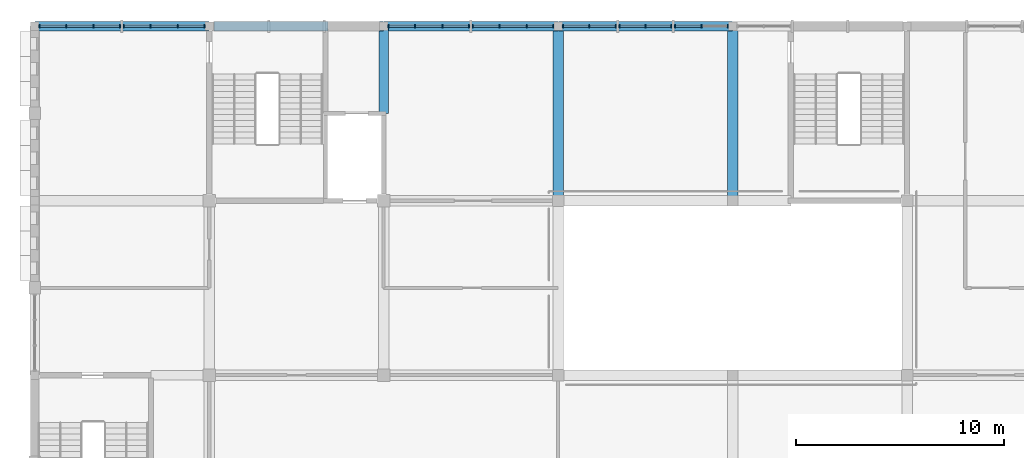
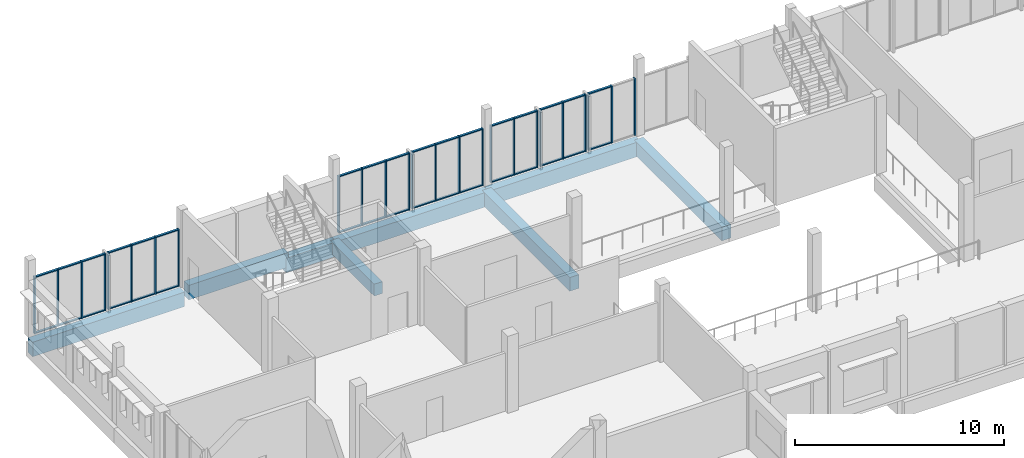
# One storey, part 76 of 116: 59 members, 8 beams, 7 elements without a shape of their own.
"""IFC4 building model written with IfcOpenShell, lengths in metres."""

from ifc_helpers import new_model, si_unit, direction, frame, origin, origin_2d, place, context, subcontext, project, spatial, rectangle, extrude, material, material_profile, profile_set, type_object, element, aggregate, save


model = new_model("IFC4")

# Units and contexts
model_context = context("Model", 3, precision=1e-05, world=origin(), true_north=direction((0.0, 1.0)))
body_context = subcontext(model_context, "Body", "Model", "MODEL_VIEW")
ifc_project = project(units=[si_unit("LENGTHUNIT", "METRE"), si_unit("AREAUNIT", "SQUARE_METRE"), si_unit("VOLUMEUNIT", "CUBIC_METRE"), si_unit("PLANEANGLEUNIT", "RADIAN"), si_unit("MASSUNIT", "GRAM", prefix="KILO")], contexts=[model_context])

# Site, building, storey
site_placement = place(None, origin())
site = spatial("IfcSite", under=ifc_project, at=site_placement, CompositionType="ELEMENT")
building_placement = place(site_placement, origin())
building = spatial("IfcBuilding", under=site, at=building_placement, Name="Fescue Hill Polytechnic", CompositionType="ELEMENT")
storey_placement = place(building_placement, frame((0.0, 0.0, 13.5)))
storey = spatial("IfcBuildingStorey", under=building, at=storey_placement, Name="L03", CompositionType="ELEMENT", Elevation=13.5)

# Beams
ifc_material_1 = material(Name="Concrete 35 MPa", Category="concrete")
ifc_material_profile_1 = material_profile(ifc_material_1, rectangle(XDim=0.449951171875, YDim=0.699951171875, at=origin_2d()), Name="RC 450x700")
ifc_profile_set_1 = profile_set([ifc_material_profile_1], Name="Concrete 35 MPa")
beam_type_1 = type_object("IfcBeamType", Name="Beam RC 450x700", PredefinedType="BEAM", material=ifc_profile_set_1)
beam_1_placement = place(storey_placement, frame((16.800048828125, 130.199951171875, -0.64990234375), z_axis=(0.0, 1.0, 0.0), x_axis=(-1.0, 0.0, 0.0)))
element("IfcBeam", 1, at=beam_1_placement, inside=storey, type_object=beam_type_1, Name="BM-L03-0042", PredefinedType="BEAM", context=body_context, shape_type="SweptSolid", body=[
    extrude(rectangle(XDim=0.449951171875, YDim=0.699951171875, at=origin_2d()), origin(), (0.0, 0.0, 1.0), 4.199951171875),
])
ifc_material_profile_2 = material_profile(ifc_material_1, rectangle(XDim=0.449951171875, YDim=0.85009765625, at=origin_2d()), Name="RC 450x850")
ifc_profile_set_2 = profile_set([ifc_material_profile_2], Name="Concrete 35 MPa")
beam_type_2 = type_object("IfcBeamType", Name="Beam RC 450x850", PredefinedType="BEAM", material=ifc_profile_set_2)
beam_2_placement = place(storey_placement, frame((0.010009765625, 134.39990234375, -0.72509765625), z_axis=(1.0, 0.0, 0.0), x_axis=(0.0, 1.0, 0.0)))
element("IfcBeam", 2, at=beam_2_placement, inside=storey, type_object=beam_type_2, Name="BM-L03-0013", PredefinedType="BEAM", context=body_context, shape_type="SweptSolid", body=[
    extrude(rectangle(XDim=0.449951171875, YDim=0.85009765625, at=origin_2d()), origin(), (0.0, 0.0, 1.0), 8.389892578125),
])
beam_3_placement = place(storey_placement, frame((14.0, 134.39990234375, -0.72509765625), z_axis=(1.0, 0.0, 0.0), x_axis=(0.0, 1.0, 0.0)))
element("IfcBeam", 3, at=beam_3_placement, inside=storey, type_object=beam_type_2, Name="BM-L03-0031", PredefinedType="BEAM", context=body_context, shape_type="SweptSolid", body=[
    extrude(rectangle(XDim=0.449951171875, YDim=0.85009765625, at=origin_2d()), origin(), (0.0, 0.0, 1.0), 2.7900390625),
])
beam_4_placement = place(storey_placement, frame((16.81005859375, 134.39990234375, -0.72509765625), z_axis=(1.0, 0.0, 0.0), x_axis=(0.0, 1.0, 0.0)))
element("IfcBeam", 4, at=beam_4_placement, inside=storey, type_object=beam_type_2, Name="BM-L03-0050", PredefinedType="BEAM", context=body_context, shape_type="SweptSolid", body=[
    extrude(rectangle(XDim=0.449951171875, YDim=0.85009765625, at=origin_2d()), origin(), (0.0, 0.0, 1.0), 8.3798828125),
])
beam_5_placement = place(storey_placement, frame((25.2099609375, 134.39990234375, -0.72509765625), z_axis=(1.0, 0.0, 0.0), x_axis=(0.0, 1.0, 0.0)))
element("IfcBeam", 5, at=beam_5_placement, inside=storey, type_object=beam_type_2, Name="BM-L03-0060", PredefinedType="BEAM", context=body_context, shape_type="SweptSolid", body=[
    extrude(rectangle(XDim=0.449951171875, YDim=0.85009765625, at=origin_2d()), origin(), (0.0, 0.0, 1.0), 8.380126953125),
])
beam_6_placement = place(storey_placement, frame((8.625, 134.39990234375, -0.425048828125), z_axis=(1.0, 0.0, 0.0), x_axis=(0.0, 1.0, 0.0)))
element("IfcBeam", 6, at=beam_6_placement, inside=storey, type_object=beam_type_2, Name="BM-L03-0132", PredefinedType="BEAM", context=body_context, shape_type="SweptSolid", body=[
    extrude(rectangle(XDim=0.449951171875, YDim=0.85009765625, at=origin_2d()), origin(), (0.0, 0.0, 1.0), 5.5),
])
ifc_material_profile_3 = material_profile(ifc_material_1, rectangle(XDim=0.5, YDim=0.800048828125, at=origin_2d()), Name="RC 500x800")
ifc_profile_set_3 = profile_set([ifc_material_profile_3], Name="Concrete 35 MPa")
beam_type_3 = type_object("IfcBeamType", Name="Beam RC 500x800", PredefinedType="BEAM", material=ifc_profile_set_3)
for number, where, z_axis, x_axis, name in (
    (7, (25.199951171875, 126.0, -0.699951171875), (0.0, 1.0, 0.0), (-1.0, 0.0, 0.0), "BM-L03-0058"),
    (8, (33.60009765625, 126.0, -0.699951171875), (0.0, 1.0, 0.0), (-1.0, 0.0, 0.0), "BM-L03-0062"),
):
    element("IfcBeam", number, at=place(storey_placement, frame(where, z_axis=z_axis, x_axis=x_axis)), inside=storey, type_object=beam_type_3, Name=name, PredefinedType="BEAM", context=body_context, shape_type="SweptSolid", body=[
        extrude(rectangle(XDim=0.5, YDim=0.800048828125, at=origin_2d()), origin(), (0.0, 0.0, 1.0), 8.39990234375),
    ])

# Curtain wall, members
ifc_material_2 = material(Name="Glass", Category="glass")
curtain_wall_type = type_object("IfcCurtainWallType", Name="Curtain wall structural glazing", PredefinedType="NOTDEFINED", material=ifc_material_2)
curtain_wall_1_placement = place(storey_placement, origin())
curtain_wall_1 = element("IfcCurtainWall", 9, at=curtain_wall_1_placement, inside=storey, type_object=curtain_wall_type, Name="CW-L03-V5-5", PredefinedType="NOTDEFINED")
ifc_material_3 = material(Name="Powder-coated aluminium", Category="aluminium")
ifc_material_profile_4 = material_profile(ifc_material_3, rectangle(XDim=0.159912109375, YDim=0.06005859375, at=origin_2d()), Name="Mullion aluminium 60x160")
ifc_profile_set_4 = profile_set([ifc_material_profile_4], Name="Powder-coated aluminium")
member_type_1 = type_object("IfcMemberType", Name="Mullion aluminium 60x160", PredefinedType="MULLION", material=ifc_profile_set_4)
member_1_placement = place(storey_placement, frame((33.3701171875, 134.39990234375, 0.0), z_axis=(0.0, 0.0, 1.0), x_axis=(0.0, -1.0, 0.0)))
member_1 = element("IfcMember", 10, at=member_1_placement, type_object=member_type_1, Name="CW76 mullion 1", PredefinedType="MULLION", context=body_context, shape_type="SweptSolid", body=[
    extrude(rectangle(XDim=0.159912109375, YDim=0.06005859375, at=origin_2d()), origin(), (0.0, 0.0, 1.0), 3.330078125),
])
member_2_placement = place(storey_placement, frame((32.0966796875, 134.39990234375, 0.0), z_axis=(0.0, 0.0, 1.0), x_axis=(0.0, -1.0, 0.0)))
member_2 = element("IfcMember", 11, at=member_2_placement, type_object=member_type_1, Name="CW76 mullion 2", PredefinedType="MULLION", context=body_context, shape_type="SweptSolid", body=[
    extrude(rectangle(XDim=0.159912109375, YDim=0.06005859375, at=origin_2d()), origin(), (0.0, 0.0, 1.0), 3.330078125),
])
member_3_placement = place(storey_placement, frame((30.8232421875, 134.39990234375, 0.0), z_axis=(0.0, 0.0, 1.0), x_axis=(0.0, -1.0, 0.0)))
member_3 = element("IfcMember", 12, at=member_3_placement, type_object=member_type_1, Name="CW76 mullion 3", PredefinedType="MULLION", context=body_context, shape_type="SweptSolid", body=[
    extrude(rectangle(XDim=0.159912109375, YDim=0.06005859375, at=origin_2d()), origin(), (0.0, 0.0, 1.0), 3.330078125),
])

curtain_wall_2_placement = place(storey_placement, origin())
curtain_wall_2 = element("IfcCurtainWall", 13, at=curtain_wall_2_placement, inside=storey, type_object=curtain_wall_type, Name="CW-L03-V5-6", PredefinedType="NOTDEFINED")
member_4_placement = place(storey_placement, frame((30.643310546875, 134.39990234375, 0.0), z_axis=(0.0, 0.0, 1.0), x_axis=(0.0, -1.0, 0.0)))
member_4 = element("IfcMember", 14, at=member_4_placement, type_object=member_type_1, Name="CW77 mullion 1", PredefinedType="MULLION", context=body_context, shape_type="SweptSolid", body=[
    extrude(rectangle(XDim=0.159912109375, YDim=0.06005859375, at=origin_2d()), origin(), (0.0, 0.0, 1.0), 3.330078125),
])
member_5_placement = place(storey_placement, frame((29.39990234375, 134.39990234375, 0.0), z_axis=(0.0, 0.0, 1.0), x_axis=(0.0, -1.0, 0.0)))
member_5 = element("IfcMember", 15, at=member_5_placement, type_object=member_type_1, Name="CW77 mullion 2", PredefinedType="MULLION", context=body_context, shape_type="SweptSolid", body=[
    extrude(rectangle(XDim=0.159912109375, YDim=0.06005859375, at=origin_2d()), origin(), (0.0, 0.0, 1.0), 3.330078125),
])
member_6_placement = place(storey_placement, frame((28.15673828125, 134.39990234375, 0.0), z_axis=(0.0, 0.0, 1.0), x_axis=(0.0, -1.0, 0.0)))
member_6 = element("IfcMember", 16, at=member_6_placement, type_object=member_type_1, Name="CW77 mullion 3", PredefinedType="MULLION", context=body_context, shape_type="SweptSolid", body=[
    extrude(rectangle(XDim=0.159912109375, YDim=0.06005859375, at=origin_2d()), origin(), (0.0, 0.0, 1.0), 3.330078125),
])

curtain_wall_3_placement = place(storey_placement, origin())
curtain_wall_3 = element("IfcCurtainWall", 17, at=curtain_wall_3_placement, inside=storey, type_object=curtain_wall_type, Name="CW-L03-V5-7", PredefinedType="NOTDEFINED")
member_7_placement = place(storey_placement, frame((27.976806640625, 134.39990234375, 0.0), z_axis=(0.0, 0.0, 1.0), x_axis=(0.0, -1.0, 0.0)))
member_7 = element("IfcMember", 18, at=member_7_placement, type_object=member_type_1, Name="CW78 mullion 1", PredefinedType="MULLION", context=body_context, shape_type="SweptSolid", body=[
    extrude(rectangle(XDim=0.159912109375, YDim=0.06005859375, at=origin_2d()), origin(), (0.0, 0.0, 1.0), 3.330078125),
])
member_8_placement = place(storey_placement, frame((26.703369140625, 134.39990234375, 0.0), z_axis=(0.0, 0.0, 1.0), x_axis=(0.0, -1.0, 0.0)))
member_8 = element("IfcMember", 19, at=member_8_placement, type_object=member_type_1, Name="CW78 mullion 2", PredefinedType="MULLION", context=body_context, shape_type="SweptSolid", body=[
    extrude(rectangle(XDim=0.159912109375, YDim=0.06005859375, at=origin_2d()), origin(), (0.0, 0.0, 1.0), 3.330078125),
])
member_9_placement = place(storey_placement, frame((25.429931640625, 134.39990234375, 0.0), z_axis=(0.0, 0.0, 1.0), x_axis=(0.0, -1.0, 0.0)))
member_9 = element("IfcMember", 20, at=member_9_placement, type_object=member_type_1, Name="CW78 mullion 3", PredefinedType="MULLION", context=body_context, shape_type="SweptSolid", body=[
    extrude(rectangle(XDim=0.159912109375, YDim=0.06005859375, at=origin_2d()), origin(), (0.0, 0.0, 1.0), 3.330078125),
])

curtain_wall_4_placement = place(storey_placement, origin())
curtain_wall_4 = element("IfcCurtainWall", 21, at=curtain_wall_4_placement, inside=storey, type_object=curtain_wall_type, Name="CW-L03-V5-8", PredefinedType="NOTDEFINED")
member_10_placement = place(storey_placement, frame((24.969970703125, 134.39990234375, 0.0), z_axis=(0.0, 0.0, 1.0), x_axis=(0.0, -1.0, 0.0)))
member_10 = element("IfcMember", 22, at=member_10_placement, type_object=member_type_1, Name="CW79 mullion 1", PredefinedType="MULLION", context=body_context, shape_type="SweptSolid", body=[
    extrude(rectangle(XDim=0.159912109375, YDim=0.06005859375, at=origin_2d()), origin(), (0.0, 0.0, 1.0), 3.330078125),
])
member_11_placement = place(storey_placement, frame((23.686767578125, 134.39990234375, 0.0), z_axis=(0.0, 0.0, 1.0), x_axis=(0.0, -1.0, 0.0)))
member_11 = element("IfcMember", 23, at=member_11_placement, type_object=member_type_1, Name="CW79 mullion 2", PredefinedType="MULLION", context=body_context, shape_type="SweptSolid", body=[
    extrude(rectangle(XDim=0.159912109375, YDim=0.06005859375, at=origin_2d()), origin(), (0.0, 0.0, 1.0), 3.330078125),
])
member_12_placement = place(storey_placement, frame((22.373291015625, 134.39990234375, 0.0), z_axis=(0.0, 0.0, 1.0), x_axis=(0.0, -1.0, 0.0)))
member_12 = element("IfcMember", 24, at=member_12_placement, type_object=member_type_1, Name="CW79 mullion 3", PredefinedType="MULLION", context=body_context, shape_type="SweptSolid", body=[
    extrude(rectangle(XDim=0.159912109375, YDim=0.06005859375, at=origin_2d()), origin(), (0.0, 0.0, 1.0), 3.330078125),
])
member_13_placement = place(storey_placement, frame((21.090087890625, 134.39990234375, 0.0), z_axis=(0.0, 0.0, 1.0), x_axis=(0.0, -1.0, 0.0)))
member_13 = element("IfcMember", 25, at=member_13_placement, type_object=member_type_1, Name="CW79 mullion 4", PredefinedType="MULLION", context=body_context, shape_type="SweptSolid", body=[
    extrude(rectangle(XDim=0.159912109375, YDim=0.06005859375, at=origin_2d()), origin(), (0.0, 0.0, 1.0), 3.330078125),
])

curtain_wall_5_placement = place(storey_placement, origin())
curtain_wall_5 = element("IfcCurtainWall", 26, at=curtain_wall_5_placement, inside=storey, type_object=curtain_wall_type, Name="CW-L03-V5-9", PredefinedType="NOTDEFINED")
member_14_placement = place(storey_placement, frame((20.909912109375, 134.39990234375, 0.0), z_axis=(0.0, 0.0, 1.0), x_axis=(0.0, -1.0, 0.0)))
member_14 = element("IfcMember", 27, at=member_14_placement, type_object=member_type_1, Name="CW80 mullion 1", PredefinedType="MULLION", context=body_context, shape_type="SweptSolid", body=[
    extrude(rectangle(XDim=0.159912109375, YDim=0.06005859375, at=origin_2d()), origin(), (0.0, 0.0, 1.0), 3.330078125),
])
member_15_placement = place(storey_placement, frame((19.626708984375, 134.39990234375, 0.0), z_axis=(0.0, 0.0, 1.0), x_axis=(0.0, -1.0, 0.0)))
member_15 = element("IfcMember", 28, at=member_15_placement, type_object=member_type_1, Name="CW80 mullion 2", PredefinedType="MULLION", context=body_context, shape_type="SweptSolid", body=[
    extrude(rectangle(XDim=0.159912109375, YDim=0.06005859375, at=origin_2d()), origin(), (0.0, 0.0, 1.0), 3.330078125),
])
member_16_placement = place(storey_placement, frame((18.313232421875, 134.39990234375, 0.0), z_axis=(0.0, 0.0, 1.0), x_axis=(0.0, -1.0, 0.0)))
member_16 = element("IfcMember", 29, at=member_16_placement, type_object=member_type_1, Name="CW80 mullion 3", PredefinedType="MULLION", context=body_context, shape_type="SweptSolid", body=[
    extrude(rectangle(XDim=0.159912109375, YDim=0.06005859375, at=origin_2d()), origin(), (0.0, 0.0, 1.0), 3.330078125),
])
member_17_placement = place(storey_placement, frame((17.030029296875, 134.39990234375, 0.0), z_axis=(0.0, 0.0, 1.0), x_axis=(0.0, -1.0, 0.0)))
member_17 = element("IfcMember", 30, at=member_17_placement, type_object=member_type_1, Name="CW80 mullion 4", PredefinedType="MULLION", context=body_context, shape_type="SweptSolid", body=[
    extrude(rectangle(XDim=0.159912109375, YDim=0.06005859375, at=origin_2d()), origin(), (0.0, 0.0, 1.0), 3.330078125),
])

curtain_wall_6_placement = place(storey_placement, origin())
curtain_wall_6 = element("IfcCurtainWall", 31, at=curtain_wall_6_placement, inside=storey, type_object=curtain_wall_type, Name="CW-L03-V5-10", PredefinedType="NOTDEFINED")
member_18_placement = place(storey_placement, frame((4.110107421875, 134.39990234375, 0.0), z_axis=(0.0, 0.0, 1.0), x_axis=(0.0, -1.0, 0.0)))
member_18 = element("IfcMember", 32, at=member_18_placement, type_object=member_type_1, Name="CW81 mullion 1", PredefinedType="MULLION", context=body_context, shape_type="SweptSolid", body=[
    extrude(rectangle(XDim=0.159912109375, YDim=0.06005859375, at=origin_2d()), origin(), (0.0, 0.0, 1.0), 3.330078125),
])
member_19_placement = place(storey_placement, frame((2.82666015625, 134.39990234375, 0.0), z_axis=(0.0, 0.0, 1.0), x_axis=(0.0, -1.0, 0.0)))
member_19 = element("IfcMember", 33, at=member_19_placement, type_object=member_type_1, Name="CW81 mullion 2", PredefinedType="MULLION", context=body_context, shape_type="SweptSolid", body=[
    extrude(rectangle(XDim=0.159912109375, YDim=0.06005859375, at=origin_2d()), origin(), (0.0, 0.0, 1.0), 3.330078125),
])
member_20_placement = place(storey_placement, frame((1.513427734375, 134.39990234375, 0.0), z_axis=(0.0, 0.0, 1.0), x_axis=(0.0, -1.0, 0.0)))
member_20 = element("IfcMember", 34, at=member_20_placement, type_object=member_type_1, Name="CW81 mullion 3", PredefinedType="MULLION", context=body_context, shape_type="SweptSolid", body=[
    extrude(rectangle(XDim=0.159912109375, YDim=0.06005859375, at=origin_2d()), origin(), (0.0, 0.0, 1.0), 3.330078125),
])
member_21_placement = place(storey_placement, frame((0.22998046875, 134.39990234375, 0.0), z_axis=(0.0, 0.0, 1.0), x_axis=(0.0, -1.0, 0.0)))
member_21 = element("IfcMember", 35, at=member_21_placement, type_object=member_type_1, Name="CW81 mullion 4", PredefinedType="MULLION", context=body_context, shape_type="SweptSolid", body=[
    extrude(rectangle(XDim=0.159912109375, YDim=0.06005859375, at=origin_2d()), origin(), (0.0, 0.0, 1.0), 3.330078125),
])

curtain_wall_7_placement = place(storey_placement, origin())
curtain_wall_7 = element("IfcCurtainWall", 36, at=curtain_wall_7_placement, inside=storey, type_object=curtain_wall_type, Name="CW-L03-V5-X3", PredefinedType="NOTDEFINED")
member_22_placement = place(storey_placement, frame((8.169921875, 134.39990234375, 0.0), z_axis=(0.0, 0.0, 1.0), x_axis=(0.0, -1.0, 0.0)))
member_22 = element("IfcMember", 37, at=member_22_placement, type_object=member_type_1, Name="CW158 mullion 1", PredefinedType="MULLION", context=body_context, shape_type="SweptSolid", body=[
    extrude(rectangle(XDim=0.159912109375, YDim=0.06005859375, at=origin_2d()), origin(), (0.0, 0.0, 1.0), 3.330078125),
])
member_23_placement = place(storey_placement, frame((6.88671875, 134.39990234375, 0.0), z_axis=(0.0, 0.0, 1.0), x_axis=(0.0, -1.0, 0.0)))
member_23 = element("IfcMember", 38, at=member_23_placement, type_object=member_type_1, Name="CW158 mullion 2", PredefinedType="MULLION", context=body_context, shape_type="SweptSolid", body=[
    extrude(rectangle(XDim=0.159912109375, YDim=0.06005859375, at=origin_2d()), origin(), (0.0, 0.0, 1.0), 3.330078125),
])
member_24_placement = place(storey_placement, frame((5.5732421875, 134.39990234375, 0.0), z_axis=(0.0, 0.0, 1.0), x_axis=(0.0, -1.0, 0.0)))
member_24 = element("IfcMember", 39, at=member_24_placement, type_object=member_type_1, Name="CW158 mullion 3", PredefinedType="MULLION", context=body_context, shape_type="SweptSolid", body=[
    extrude(rectangle(XDim=0.159912109375, YDim=0.06005859375, at=origin_2d()), origin(), (0.0, 0.0, 1.0), 3.330078125),
])
member_25_placement = place(storey_placement, frame((4.2900390625, 134.39990234375, 0.0), z_axis=(0.0, 0.0, 1.0), x_axis=(0.0, -1.0, 0.0)))
member_25 = element("IfcMember", 40, at=member_25_placement, type_object=member_type_1, Name="CW158 mullion 4", PredefinedType="MULLION", context=body_context, shape_type="SweptSolid", body=[
    extrude(rectangle(XDim=0.159912109375, YDim=0.06005859375, at=origin_2d()), origin(), (0.0, 0.0, 1.0), 3.330078125),
])

# Member
ifc_material_profile_5 = material_profile(ifc_material_3, rectangle(XDim=0.1201171875, YDim=0.06005859375, at=origin_2d()), Name="Transom aluminium 60x120")
ifc_profile_set_5 = profile_set([ifc_material_profile_5], Name="Powder-coated aluminium")
member_type_2 = type_object("IfcMemberType", Name="Transom aluminium 60x120", PredefinedType="USERDEFINED", material=ifc_profile_set_5)
member_26_placement = place(storey_placement, frame((32.066650390625, 134.39990234375, 0.030029296875), z_axis=(-1.0, 0.0, 0.0), x_axis=(0.0, -1.0, 0.0)))
member_26 = element("IfcMember", 41, at=member_26_placement, type_object=member_type_2, Name="CW76 transom 2.1", ObjectType="TRANSOM", PredefinedType="USERDEFINED", context=body_context, shape_type="SweptSolid", body=[
    extrude(rectangle(XDim=0.1201171875, YDim=0.06005859375, at=origin_2d()), origin(), (0.0, 0.0, 1.0), 1.21337890625),
])

member_27_placement = place(storey_placement, frame((32.066650390625, 134.39990234375, 3.300048828125), z_axis=(-1.0, 0.0, 0.0), x_axis=(0.0, -1.0, 0.0)))
member_27 = element("IfcMember", 42, at=member_27_placement, type_object=member_type_2, Name="CW76 transom 2.2", ObjectType="TRANSOM", PredefinedType="USERDEFINED", context=body_context, shape_type="SweptSolid", body=[
    extrude(rectangle(XDim=0.1201171875, YDim=0.06005859375, at=origin_2d()), origin(), (0.0, 0.0, 1.0), 1.21337890625),
])

aggregate(curtain_wall_1, [member_1, member_2, member_3, member_26, member_27])

member_28_placement = place(storey_placement, frame((30.61328125, 134.39990234375, 0.030029296875), z_axis=(-1.0, 0.0, 0.0), x_axis=(0.0, -1.0, 0.0)))
member_28 = element("IfcMember", 43, at=member_28_placement, type_object=member_type_2, Name="CW77 transom 1.1", ObjectType="TRANSOM", PredefinedType="USERDEFINED", context=body_context, shape_type="SweptSolid", body=[
    extrude(rectangle(XDim=0.1201171875, YDim=0.06005859375, at=origin_2d()), origin(), (0.0, 0.0, 1.0), 1.183349609375),
])

member_29_placement = place(storey_placement, frame((30.61328125, 134.39990234375, 3.300048828125), z_axis=(-1.0, 0.0, 0.0), x_axis=(0.0, -1.0, 0.0)))
member_29 = element("IfcMember", 44, at=member_29_placement, type_object=member_type_2, Name="CW77 transom 1.2", ObjectType="TRANSOM", PredefinedType="USERDEFINED", context=body_context, shape_type="SweptSolid", body=[
    extrude(rectangle(XDim=0.1201171875, YDim=0.06005859375, at=origin_2d()), origin(), (0.0, 0.0, 1.0), 1.183349609375),
])

member_30_placement = place(storey_placement, frame((29.3701171875, 134.39990234375, 0.030029296875), z_axis=(-1.0, 0.0, 0.0), x_axis=(0.0, -1.0, 0.0)))
member_30 = element("IfcMember", 45, at=member_30_placement, type_object=member_type_2, Name="CW77 transom 2.1", ObjectType="TRANSOM", PredefinedType="USERDEFINED", context=body_context, shape_type="SweptSolid", body=[
    extrude(rectangle(XDim=0.1201171875, YDim=0.06005859375, at=origin_2d()), origin(), (0.0, 0.0, 1.0), 1.183349609375),
])

member_31_placement = place(storey_placement, frame((29.3701171875, 134.39990234375, 3.300048828125), z_axis=(-1.0, 0.0, 0.0), x_axis=(0.0, -1.0, 0.0)))
member_31 = element("IfcMember", 46, at=member_31_placement, type_object=member_type_2, Name="CW77 transom 2.2", ObjectType="TRANSOM", PredefinedType="USERDEFINED", context=body_context, shape_type="SweptSolid", body=[
    extrude(rectangle(XDim=0.1201171875, YDim=0.06005859375, at=origin_2d()), origin(), (0.0, 0.0, 1.0), 1.183349609375),
])

aggregate(curtain_wall_2, [member_4, member_5, member_6, member_28, member_29, member_30, member_31])

member_32_placement = place(storey_placement, frame((27.94677734375, 134.39990234375, 0.030029296875), z_axis=(-1.0, 0.0, 0.0), x_axis=(0.0, -1.0, 0.0)))
member_32 = element("IfcMember", 47, at=member_32_placement, type_object=member_type_2, Name="CW78 transom 1.1", ObjectType="TRANSOM", PredefinedType="USERDEFINED", context=body_context, shape_type="SweptSolid", body=[
    extrude(rectangle(XDim=0.1201171875, YDim=0.06005859375, at=origin_2d()), origin(), (0.0, 0.0, 1.0), 1.21337890625),
])

member_33_placement = place(storey_placement, frame((27.94677734375, 134.39990234375, 3.300048828125), z_axis=(-1.0, 0.0, 0.0), x_axis=(0.0, -1.0, 0.0)))
member_33 = element("IfcMember", 48, at=member_33_placement, type_object=member_type_2, Name="CW78 transom 1.2", ObjectType="TRANSOM", PredefinedType="USERDEFINED", context=body_context, shape_type="SweptSolid", body=[
    extrude(rectangle(XDim=0.1201171875, YDim=0.06005859375, at=origin_2d()), origin(), (0.0, 0.0, 1.0), 1.21337890625),
])

member_34_placement = place(storey_placement, frame((26.67333984375, 134.39990234375, 0.030029296875), z_axis=(-1.0, 0.0, 0.0), x_axis=(0.0, -1.0, 0.0)))
member_34 = element("IfcMember", 49, at=member_34_placement, type_object=member_type_2, Name="CW78 transom 2.1", ObjectType="TRANSOM", PredefinedType="USERDEFINED", context=body_context, shape_type="SweptSolid", body=[
    extrude(rectangle(XDim=0.1201171875, YDim=0.06005859375, at=origin_2d()), origin(), (0.0, 0.0, 1.0), 1.21337890625),
])

member_35_placement = place(storey_placement, frame((26.67333984375, 134.39990234375, 3.300048828125), z_axis=(-1.0, 0.0, 0.0), x_axis=(0.0, -1.0, 0.0)))
member_35 = element("IfcMember", 50, at=member_35_placement, type_object=member_type_2, Name="CW78 transom 2.2", ObjectType="TRANSOM", PredefinedType="USERDEFINED", context=body_context, shape_type="SweptSolid", body=[
    extrude(rectangle(XDim=0.1201171875, YDim=0.06005859375, at=origin_2d()), origin(), (0.0, 0.0, 1.0), 1.21337890625),
])

aggregate(curtain_wall_3, [member_7, member_8, member_9, member_32, member_33, member_34, member_35])

member_36_placement = place(storey_placement, frame((24.93994140625, 134.39990234375, 0.030029296875), z_axis=(-1.0, 0.0, 0.0), x_axis=(0.0, -1.0, 0.0)))
member_36 = element("IfcMember", 51, at=member_36_placement, type_object=member_type_2, Name="CW79 transom 1.1", ObjectType="TRANSOM", PredefinedType="USERDEFINED", context=body_context, shape_type="SweptSolid", body=[
    extrude(rectangle(XDim=0.1201171875, YDim=0.06005859375, at=origin_2d()), origin(), (0.0, 0.0, 1.0), 1.223388671875),
])

member_37_placement = place(storey_placement, frame((24.93994140625, 134.39990234375, 3.300048828125), z_axis=(-1.0, 0.0, 0.0), x_axis=(0.0, -1.0, 0.0)))
member_37 = element("IfcMember", 52, at=member_37_placement, type_object=member_type_2, Name="CW79 transom 1.2", ObjectType="TRANSOM", PredefinedType="USERDEFINED", context=body_context, shape_type="SweptSolid", body=[
    extrude(rectangle(XDim=0.1201171875, YDim=0.06005859375, at=origin_2d()), origin(), (0.0, 0.0, 1.0), 1.223388671875),
])

member_38_placement = place(storey_placement, frame((23.65673828125, 134.39990234375, 0.030029296875), z_axis=(-1.0, 0.0, 0.0), x_axis=(0.0, -1.0, 0.0)))
member_38 = element("IfcMember", 53, at=member_38_placement, type_object=member_type_2, Name="CW79 transom 2.1", ObjectType="TRANSOM", PredefinedType="USERDEFINED", context=body_context, shape_type="SweptSolid", body=[
    extrude(rectangle(XDim=0.1201171875, YDim=0.06005859375, at=origin_2d()), origin(), (0.0, 0.0, 1.0), 1.25341796875),
])

member_39_placement = place(storey_placement, frame((23.65673828125, 134.39990234375, 3.300048828125), z_axis=(-1.0, 0.0, 0.0), x_axis=(0.0, -1.0, 0.0)))
member_39 = element("IfcMember", 54, at=member_39_placement, type_object=member_type_2, Name="CW79 transom 2.2", ObjectType="TRANSOM", PredefinedType="USERDEFINED", context=body_context, shape_type="SweptSolid", body=[
    extrude(rectangle(XDim=0.1201171875, YDim=0.06005859375, at=origin_2d()), origin(), (0.0, 0.0, 1.0), 1.25341796875),
])

member_40_placement = place(storey_placement, frame((22.34326171875, 134.39990234375, 0.030029296875), z_axis=(-1.0, 0.0, 0.0), x_axis=(0.0, -1.0, 0.0)))
member_40 = element("IfcMember", 55, at=member_40_placement, type_object=member_type_2, Name="CW79 transom 3.1", ObjectType="TRANSOM", PredefinedType="USERDEFINED", context=body_context, shape_type="SweptSolid", body=[
    extrude(rectangle(XDim=0.1201171875, YDim=0.06005859375, at=origin_2d()), origin(), (0.0, 0.0, 1.0), 1.22314453125),
])

member_41_placement = place(storey_placement, frame((22.34326171875, 134.39990234375, 3.300048828125), z_axis=(-1.0, 0.0, 0.0), x_axis=(0.0, -1.0, 0.0)))
member_41 = element("IfcMember", 56, at=member_41_placement, type_object=member_type_2, Name="CW79 transom 3.2", ObjectType="TRANSOM", PredefinedType="USERDEFINED", context=body_context, shape_type="SweptSolid", body=[
    extrude(rectangle(XDim=0.1201171875, YDim=0.06005859375, at=origin_2d()), origin(), (0.0, 0.0, 1.0), 1.22314453125),
])

aggregate(curtain_wall_4, [member_10, member_11, member_12, member_13, member_36, member_37, member_38, member_39, member_40, member_41])

member_42_placement = place(storey_placement, frame((20.8798828125, 134.39990234375, 0.030029296875), z_axis=(-1.0, 0.0, 0.0), x_axis=(0.0, -1.0, 0.0)))
member_42 = element("IfcMember", 57, at=member_42_placement, type_object=member_type_2, Name="CW80 transom 1.1", ObjectType="TRANSOM", PredefinedType="USERDEFINED", context=body_context, shape_type="SweptSolid", body=[
    extrude(rectangle(XDim=0.1201171875, YDim=0.06005859375, at=origin_2d()), origin(), (0.0, 0.0, 1.0), 1.22314453125),
])

member_43_placement = place(storey_placement, frame((20.8798828125, 134.39990234375, 3.300048828125), z_axis=(-1.0, 0.0, 0.0), x_axis=(0.0, -1.0, 0.0)))
member_43 = element("IfcMember", 58, at=member_43_placement, type_object=member_type_2, Name="CW80 transom 1.2", ObjectType="TRANSOM", PredefinedType="USERDEFINED", context=body_context, shape_type="SweptSolid", body=[
    extrude(rectangle(XDim=0.1201171875, YDim=0.06005859375, at=origin_2d()), origin(), (0.0, 0.0, 1.0), 1.22314453125),
])

member_44_placement = place(storey_placement, frame((19.5966796875, 134.39990234375, 0.030029296875), z_axis=(-1.0, 0.0, 0.0), x_axis=(0.0, -1.0, 0.0)))
member_44 = element("IfcMember", 59, at=member_44_placement, type_object=member_type_2, Name="CW80 transom 2.1", ObjectType="TRANSOM", PredefinedType="USERDEFINED", context=body_context, shape_type="SweptSolid", body=[
    extrude(rectangle(XDim=0.1201171875, YDim=0.06005859375, at=origin_2d()), origin(), (0.0, 0.0, 1.0), 1.25341796875),
])

member_45_placement = place(storey_placement, frame((19.5966796875, 134.39990234375, 3.300048828125), z_axis=(-1.0, 0.0, 0.0), x_axis=(0.0, -1.0, 0.0)))
member_45 = element("IfcMember", 60, at=member_45_placement, type_object=member_type_2, Name="CW80 transom 2.2", ObjectType="TRANSOM", PredefinedType="USERDEFINED", context=body_context, shape_type="SweptSolid", body=[
    extrude(rectangle(XDim=0.1201171875, YDim=0.06005859375, at=origin_2d()), origin(), (0.0, 0.0, 1.0), 1.25341796875),
])

member_46_placement = place(storey_placement, frame((18.283447265625, 134.39990234375, 0.030029296875), z_axis=(-1.0, 0.0, 0.0), x_axis=(0.0, -1.0, 0.0)))
member_46 = element("IfcMember", 61, at=member_46_placement, type_object=member_type_2, Name="CW80 transom 3.1", ObjectType="TRANSOM", PredefinedType="USERDEFINED", context=body_context, shape_type="SweptSolid", body=[
    extrude(rectangle(XDim=0.1201171875, YDim=0.06005859375, at=origin_2d()), origin(), (0.0, 0.0, 1.0), 1.223388671875),
])

member_47_placement = place(storey_placement, frame((18.283447265625, 134.39990234375, 3.300048828125), z_axis=(-1.0, 0.0, 0.0), x_axis=(0.0, -1.0, 0.0)))
member_47 = element("IfcMember", 62, at=member_47_placement, type_object=member_type_2, Name="CW80 transom 3.2", ObjectType="TRANSOM", PredefinedType="USERDEFINED", context=body_context, shape_type="SweptSolid", body=[
    extrude(rectangle(XDim=0.1201171875, YDim=0.06005859375, at=origin_2d()), origin(), (0.0, 0.0, 1.0), 1.223388671875),
])

aggregate(curtain_wall_5, [member_14, member_15, member_16, member_17, member_42, member_43, member_44, member_45, member_46, member_47])

member_48_placement = place(storey_placement, frame((4.080078125, 134.39990234375, 0.030029296875), z_axis=(-1.0, 0.0, 0.0), x_axis=(0.0, -1.0, 0.0)))
member_48 = element("IfcMember", 63, at=member_48_placement, type_object=member_type_2, Name="CW81 transom 1.1", ObjectType="TRANSOM", PredefinedType="USERDEFINED", context=body_context, shape_type="SweptSolid", body=[
    extrude(rectangle(XDim=0.1201171875, YDim=0.06005859375, at=origin_2d()), origin(), (0.0, 0.0, 1.0), 1.223388671875),
])

member_49_placement = place(storey_placement, frame((4.080078125, 134.39990234375, 3.300048828125), z_axis=(-1.0, 0.0, 0.0), x_axis=(0.0, -1.0, 0.0)))
member_49 = element("IfcMember", 64, at=member_49_placement, type_object=member_type_2, Name="CW81 transom 1.2", ObjectType="TRANSOM", PredefinedType="USERDEFINED", context=body_context, shape_type="SweptSolid", body=[
    extrude(rectangle(XDim=0.1201171875, YDim=0.06005859375, at=origin_2d()), origin(), (0.0, 0.0, 1.0), 1.223388671875),
])

member_50_placement = place(storey_placement, frame((2.796630859375, 134.39990234375, 0.030029296875), z_axis=(-1.0, 0.0, 0.0), x_axis=(0.0, -1.0, 0.0)))
member_50 = element("IfcMember", 65, at=member_50_placement, type_object=member_type_2, Name="CW81 transom 2.1", ObjectType="TRANSOM", PredefinedType="USERDEFINED", context=body_context, shape_type="SweptSolid", body=[
    extrude(rectangle(XDim=0.1201171875, YDim=0.06005859375, at=origin_2d()), origin(), (0.0, 0.0, 1.0), 1.25341796875),
])

member_51_placement = place(storey_placement, frame((2.796630859375, 134.39990234375, 3.300048828125), z_axis=(-1.0, 0.0, 0.0), x_axis=(0.0, -1.0, 0.0)))
member_51 = element("IfcMember", 66, at=member_51_placement, type_object=member_type_2, Name="CW81 transom 2.2", ObjectType="TRANSOM", PredefinedType="USERDEFINED", context=body_context, shape_type="SweptSolid", body=[
    extrude(rectangle(XDim=0.1201171875, YDim=0.06005859375, at=origin_2d()), origin(), (0.0, 0.0, 1.0), 1.25341796875),
])

member_52_placement = place(storey_placement, frame((1.4833984375, 134.39990234375, 0.030029296875), z_axis=(-1.0, 0.0, 0.0), x_axis=(0.0, -1.0, 0.0)))
member_52 = element("IfcMember", 67, at=member_52_placement, type_object=member_type_2, Name="CW81 transom 3.1", ObjectType="TRANSOM", PredefinedType="USERDEFINED", context=body_context, shape_type="SweptSolid", body=[
    extrude(rectangle(XDim=0.1201171875, YDim=0.06005859375, at=origin_2d()), origin(), (0.0, 0.0, 1.0), 1.223388671875),
])

member_53_placement = place(storey_placement, frame((1.4833984375, 134.39990234375, 3.300048828125), z_axis=(-1.0, 0.0, 0.0), x_axis=(0.0, -1.0, 0.0)))
member_53 = element("IfcMember", 68, at=member_53_placement, type_object=member_type_2, Name="CW81 transom 3.2", ObjectType="TRANSOM", PredefinedType="USERDEFINED", context=body_context, shape_type="SweptSolid", body=[
    extrude(rectangle(XDim=0.1201171875, YDim=0.06005859375, at=origin_2d()), origin(), (0.0, 0.0, 1.0), 1.223388671875),
])

aggregate(curtain_wall_6, [member_18, member_19, member_20, member_21, member_48, member_49, member_50, member_51, member_52, member_53])

member_54_placement = place(storey_placement, frame((8.139892578125, 134.39990234375, 0.030029296875), z_axis=(-1.0, 0.0, 0.0), x_axis=(0.0, -1.0, 0.0)))
member_54 = element("IfcMember", 69, at=member_54_placement, type_object=member_type_2, Name="CW158 transom 1.1", ObjectType="TRANSOM", PredefinedType="USERDEFINED", context=body_context, shape_type="SweptSolid", body=[
    extrude(rectangle(XDim=0.1201171875, YDim=0.06005859375, at=origin_2d()), origin(), (0.0, 0.0, 1.0), 1.22314453125),
])

member_55_placement = place(storey_placement, frame((8.139892578125, 134.39990234375, 3.300048828125), z_axis=(-1.0, 0.0, 0.0), x_axis=(0.0, -1.0, 0.0)))
member_55 = element("IfcMember", 70, at=member_55_placement, type_object=member_type_2, Name="CW158 transom 1.2", ObjectType="TRANSOM", PredefinedType="USERDEFINED", context=body_context, shape_type="SweptSolid", body=[
    extrude(rectangle(XDim=0.1201171875, YDim=0.06005859375, at=origin_2d()), origin(), (0.0, 0.0, 1.0), 1.22314453125),
])

member_56_placement = place(storey_placement, frame((6.856689453125, 134.39990234375, 0.030029296875), z_axis=(-1.0, 0.0, 0.0), x_axis=(0.0, -1.0, 0.0)))
member_56 = element("IfcMember", 71, at=member_56_placement, type_object=member_type_2, Name="CW158 transom 2.1", ObjectType="TRANSOM", PredefinedType="USERDEFINED", context=body_context, shape_type="SweptSolid", body=[
    extrude(rectangle(XDim=0.1201171875, YDim=0.06005859375, at=origin_2d()), origin(), (0.0, 0.0, 1.0), 1.25341796875),
])

member_57_placement = place(storey_placement, frame((6.856689453125, 134.39990234375, 3.300048828125), z_axis=(-1.0, 0.0, 0.0), x_axis=(0.0, -1.0, 0.0)))
member_57 = element("IfcMember", 72, at=member_57_placement, type_object=member_type_2, Name="CW158 transom 2.2", ObjectType="TRANSOM", PredefinedType="USERDEFINED", context=body_context, shape_type="SweptSolid", body=[
    extrude(rectangle(XDim=0.1201171875, YDim=0.06005859375, at=origin_2d()), origin(), (0.0, 0.0, 1.0), 1.25341796875),
])

member_58_placement = place(storey_placement, frame((5.543212890625, 134.39990234375, 0.030029296875), z_axis=(-1.0, 0.0, 0.0), x_axis=(0.0, -1.0, 0.0)))
member_58 = element("IfcMember", 73, at=member_58_placement, type_object=member_type_2, Name="CW158 transom 3.1", ObjectType="TRANSOM", PredefinedType="USERDEFINED", context=body_context, shape_type="SweptSolid", body=[
    extrude(rectangle(XDim=0.1201171875, YDim=0.06005859375, at=origin_2d()), origin(), (0.0, 0.0, 1.0), 1.22314453125),
])

member_59_placement = place(storey_placement, frame((5.543212890625, 134.39990234375, 3.300048828125), z_axis=(-1.0, 0.0, 0.0), x_axis=(0.0, -1.0, 0.0)))
member_59 = element("IfcMember", 74, at=member_59_placement, type_object=member_type_2, Name="CW158 transom 3.2", ObjectType="TRANSOM", PredefinedType="USERDEFINED", context=body_context, shape_type="SweptSolid", body=[
    extrude(rectangle(XDim=0.1201171875, YDim=0.06005859375, at=origin_2d()), origin(), (0.0, 0.0, 1.0), 1.22314453125),
])

aggregate(curtain_wall_7, [member_22, member_23, member_24, member_25, member_54, member_55, member_56, member_57, member_58, member_59])

save(model, "model.ifc")
